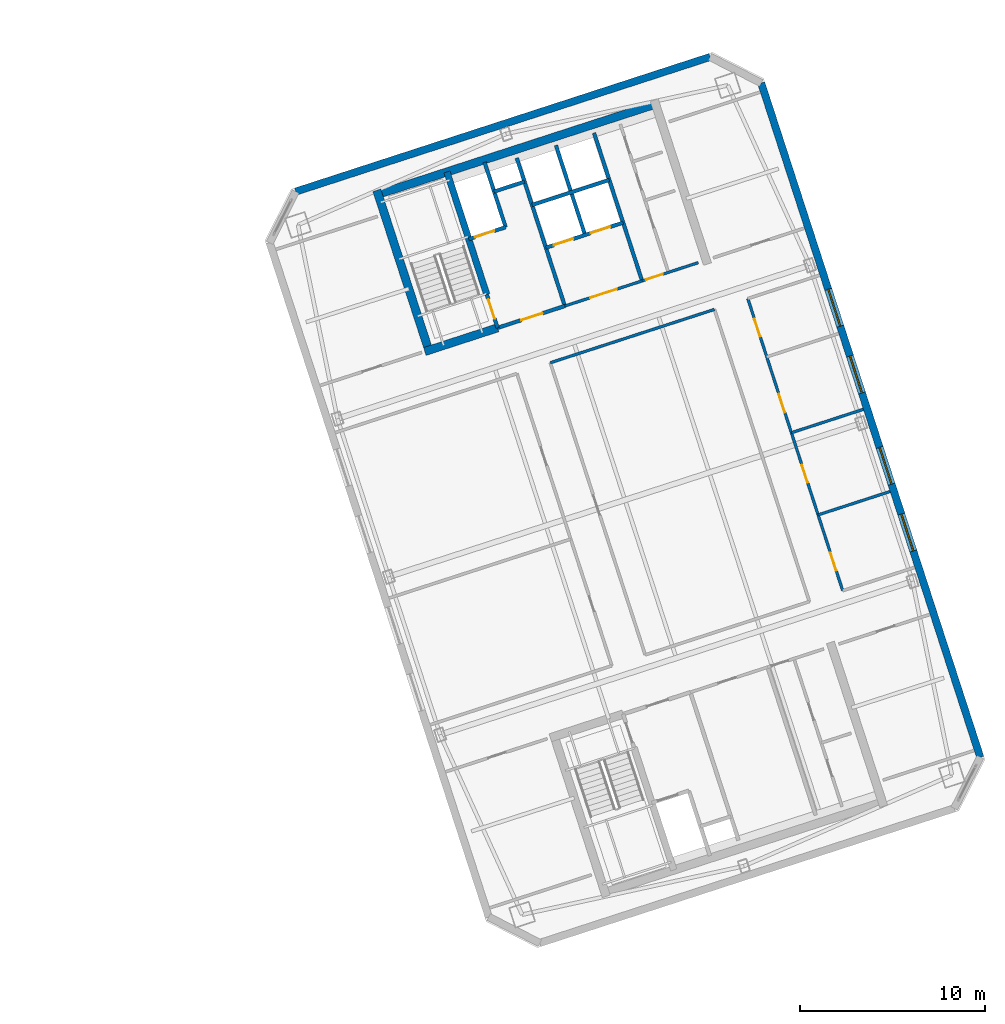
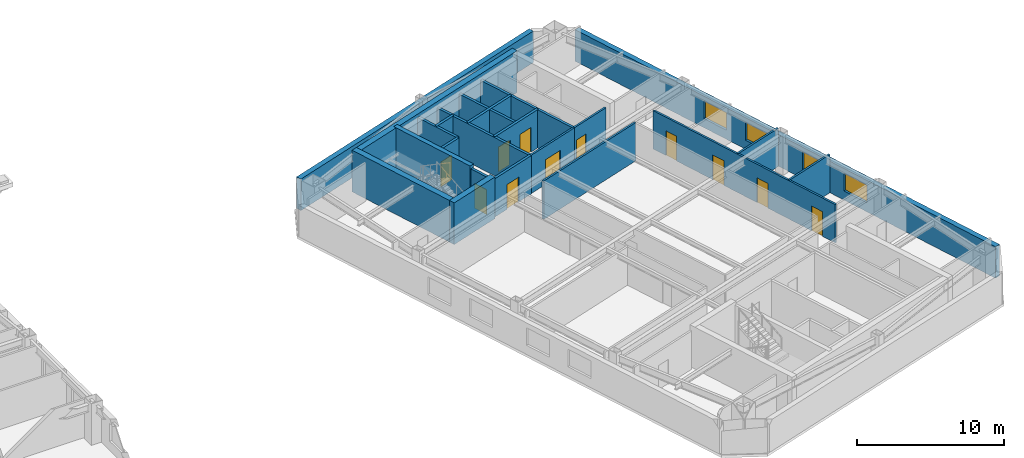
# One storey, part 21 of 25: 22 walls, 11 doors, 4 windows, 15 openings.
"""IFC4 building model written with IfcOpenShell, lengths in metres."""

from ifc_helpers import new_model, si_unit, direction, frame, frame_2d, origin, place, context, subcontext, project, spatial, rectangle, extrude, material, layer, layer_set, type_object, element, fill, save


model = new_model("IFC4")

# Units and contexts
model_context = context("Model", 3, precision=1e-05, world=origin(), true_north=direction((0.0, 1.0)))
body_context = subcontext(model_context, "Body", "Model", "MODEL_VIEW")
ifc_project = project(units=[si_unit("LENGTHUNIT", "METRE"), si_unit("AREAUNIT", "SQUARE_METRE"), si_unit("VOLUMEUNIT", "CUBIC_METRE"), si_unit("PLANEANGLEUNIT", "RADIAN"), si_unit("MASSUNIT", "GRAM", prefix="KILO")], contexts=[model_context])

# Site, building, storey
site_placement = place(None, origin())
site = spatial("IfcSite", under=ifc_project, at=site_placement, CompositionType="ELEMENT")
building_placement = place(site_placement, origin())
building = spatial("IfcBuilding", under=site, at=building_placement, Name="Qiaolan Cultural Towers", CompositionType="ELEMENT")
storey_placement = place(building_placement, frame((0.0, 0.0, 202.39990234375)))
storey = spatial("IfcBuildingStorey", under=building, at=storey_placement, Name="L54", CompositionType="ELEMENT", Elevation=202.39990234375)

# Walls
ifc_material_1 = material(Name="Concrete C50", Category="concrete")
ifc_layer_1 = layer(ifc_material_1, 0.35009765625)
ifc_layer_set_1 = layer_set([ifc_layer_1], Name="Concrete C50")
wall_type_1 = type_object("IfcWallType", Name="WL-CORE-350", PredefinedType="SHEAR", material=ifc_layer_set_1)
wall_1_placement = place(storey_placement, frame((82.513671875, 45.13134765625, 0.0), z_axis=(0.0, 0.0, 1.0), x_axis=(-0.308988790936, 0.951065679686, 0.0)))
element("IfcWall", 1, at=wall_1_placement, inside=storey, type_object=wall_type_1, Name="L54 T2-CN Stair Core Dividing Web", PredefinedType="SHEAR", context=body_context, shape_type="SweptSolid", body=[
    extrude(rectangle(XDim=6.97998046875, YDim=0.35009765625, at=frame_2d((3.489990234375, 0.0))), origin(), (0.0, 0.0, 1.0), 3.4501953125),
])
ifc_material_2 = material(Name="Concrete C50", Category="concrete")
ifc_layer_2 = layer(ifc_material_2, 0.449951171875)
ifc_layer_set_2 = layer_set([ifc_layer_2], Name="Concrete C50")
wall_type_2 = type_object("IfcWallType", Name="WL-CORE-450", PredefinedType="SHEAR", material=ifc_layer_set_2)
wall_2_placement = place(storey_placement, frame((76.414794921875, 50.489013671875, 0.0), z_axis=(0.0, 0.0, 1.0), x_axis=(0.951056810414, 0.309016089169, 0.0)))
element("IfcWall", 2, at=wall_2_placement, inside=storey, type_object=wall_type_2, Name="L54 T2-CN Outer Core Shear Wall", PredefinedType="SHEAR", context=body_context, shape_type="SweptSolid", body=[
    extrude(rectangle(XDim=16.25, YDim=0.449951171875, at=frame_2d((8.125, 0.0))), origin(), (0.0, 0.0, 1.0), 3.4501953125),
])
wall_3_placement = place(storey_placement, frame((79.4423828125, 41.899169921875, 0.0), z_axis=(0.0, 0.0, 1.0), x_axis=(-0.309035778627, 0.951050412717, 0.0)))
element("IfcWall", 3, at=wall_3_placement, inside=storey, type_object=wall_type_2, Name="L54 T2-CN West Core Shear Wall", PredefinedType="SHEAR", context=body_context, shape_type="SweptSolid", body=[
    extrude(rectangle(XDim=9.330078125, YDim=0.449951171875, at=frame_2d((4.6650390625, 0.0))), origin(), (0.0, 0.0, 1.0), 3.4501953125),
])
wall_4_placement = place(storey_placement, frame((79.15869140625, 42.04345703125, 0.0), z_axis=(0.0, 0.0, 1.0), x_axis=(0.951047485828, 0.309044785913, 0.0)))
element("IfcWall", 4, at=wall_4_placement, inside=storey, type_object=wall_type_2, Name="L54 T2-CN Stair Front Shear Wall", PredefinedType="SHEAR", context=body_context, shape_type="SweptSolid", body=[
    extrude(rectangle(XDim=4.14501953125, YDim=0.449951171875, at=frame_2d((2.072509765625, 0.0))), origin(), (0.0, 0.0, 1.0), 3.4501953125),
])
ifc_material_3 = material(Name="Precast Concrete C50 Honed Stone Pier", Category="masonry")
ifc_layer_3 = layer(ifc_material_3, 0.39990234375)
ifc_layer_set_3 = layer_set([ifc_layer_3], Name="Precast Concrete C50 Honed Stone Pier")
wall_type_3 = type_object("IfcWallType", Name="WL-EXT-PIER-400", PredefinedType="SOLIDWALL", material=ifc_layer_set_3)
wall_5_placement = place(storey_placement, frame((72.16455078125, 50.706298828125, 0.0), z_axis=(0.0, 0.0, 1.0), x_axis=(0.951058012937, 0.309012388148, 0.0)))
element("IfcWall", 5, at=wall_5_placement, inside=storey, type_object=wall_type_3, Name="L54 East Tower Precast Pier Facade Wall F3", PredefinedType="SOLIDWALL", context=body_context, shape_type="SweptSolid", body=[
    extrude(rectangle(XDim=23.60009765625, YDim=0.39990234375, at=frame_2d((11.800048828125, 0.0))), origin(), (0.0, 0.0, 1.0), 2.610107421875),
])

# Wall, openings, windows
wall_6_placement = place(storey_placement, frame((97.381591796875, 56.58642578125, 0.0), z_axis=(0.0, 0.0, 1.0), x_axis=(0.309016491071, -0.951056679828, 0.0)))
wall_6 = element("IfcWall", 6, at=wall_6_placement, inside=storey, type_object=wall_type_3, Name="L54 East Tower Precast Pier Facade Wall F5", PredefinedType="SOLIDWALL", context=body_context, shape_type="SweptSolid", body=[
    extrude(rectangle(XDim=38.39990234375, YDim=0.39990234375, at=frame_2d((19.199951171875, 0.0))), origin(), (0.0, 0.0, 1.0), 2.610107421875),
])
opening_1_placement = place(wall_6_placement, frame((24.550048828125, 0.0, 0.75)))
opening_1 = element("IfcOpeningElement", 7, at=opening_1_placement, cuts=wall_6, Name="Opening W-05", PredefinedType="OPENING", context=body_context, shape_type="SweptSolid", body=[
    extrude(rectangle(XDim=2.10009765625, YDim=1.4599609375, at=frame_2d((1.050048828125, 0.72998046875))), frame((0.0, 0.2099609375, 0.0), z_axis=(0.0, -1.0, 0.0), x_axis=(1.0, 0.0, 0.0)), (0.0, 0.0, 1.0), 0.419921875),
])
opening_2_placement = place(wall_6_placement, frame((20.75, 0.0, 0.75)))
opening_2 = element("IfcOpeningElement", 8, at=opening_2_placement, cuts=wall_6, Name="Opening W-05", PredefinedType="OPENING", context=body_context, shape_type="SweptSolid", body=[
    extrude(rectangle(XDim=2.10009765625, YDim=1.4599609375, at=frame_2d((1.050048828125, 0.72998046875))), frame((0.0, 0.2099609375, 0.0), z_axis=(0.0, -1.0, 0.0), x_axis=(1.0, 0.0, 0.0)), (0.0, 0.0, 1.0), 0.419921875),
])
opening_3_placement = place(wall_6_placement, frame((15.550048828125, 0.0, 0.75)))
opening_3 = element("IfcOpeningElement", 9, at=opening_3_placement, cuts=wall_6, Name="Opening W-05", PredefinedType="OPENING", context=body_context, shape_type="SweptSolid", body=[
    extrude(rectangle(XDim=2.10009765625, YDim=1.4599609375, at=frame_2d((1.050048828125, 0.72998046875))), frame((0.0, 0.2099609375, 0.0), z_axis=(0.0, -1.0, 0.0), x_axis=(1.0, 0.0, 0.0)), (0.0, 0.0, 1.0), 0.419921875),
])
opening_4_placement = place(wall_6_placement, frame((11.75, 0.0, 0.75)))
opening_4 = element("IfcOpeningElement", 10, at=opening_4_placement, cuts=wall_6, Name="Opening W-05", PredefinedType="OPENING", context=body_context, shape_type="SweptSolid", body=[
    extrude(rectangle(XDim=2.10009765625, YDim=1.4599609375, at=frame_2d((1.050048828125, 0.72998046875))), frame((0.0, 0.2099609375, 0.0), z_axis=(0.0, -1.0, 0.0), x_axis=(1.0, 0.0, 0.0)), (0.0, 0.0, 1.0), 0.419921875),
])
ifc_material_4 = material(Name="Thermally Broken Aluminium Triple Low-E Glazing", Category="aluminium")
window_type = type_object("IfcWindowType", Name="WN-CHIC-2100", PartitioningType="SINGLE_PANEL", PredefinedType="WINDOW", material=ifc_material_4)
window_1_placement = place(opening_1_placement, origin())
window_1 = element("IfcWindow", 11, at=window_1_placement, inside=storey, type_object=window_type, Name="L54 T2 E Chicago Bay Window 1", OverallHeight=1.4599609375, OverallWidth=2.10009765625, PartitioningType="TRIPLE_PANEL_VERTICAL", PredefinedType="WINDOW", context=body_context, shape_type="SweptSolid", body=[
    extrude(rectangle(XDim=2.10009765625, YDim=1.4599609375, at=frame_2d((1.050048828125, 0.72998046875))), frame((0.0, 0.030029296875, 0.0), z_axis=(0.0, -1.0, 0.0), x_axis=(1.0, 0.0, 0.0)), (0.0, 0.0, 1.0), 0.06005859375),
])
fill(opening_1, window_1)
window_2_placement = place(opening_2_placement, origin())
window_2 = element("IfcWindow", 12, at=window_2_placement, inside=storey, type_object=window_type, Name="L54 T2 E Chicago Bay Window 2", OverallHeight=1.4599609375, OverallWidth=2.10009765625, PartitioningType="TRIPLE_PANEL_VERTICAL", PredefinedType="WINDOW", context=body_context, shape_type="SweptSolid", body=[
    extrude(rectangle(XDim=2.10009765625, YDim=1.4599609375, at=frame_2d((1.050048828125, 0.72998046875))), frame((0.0, 0.030029296875, 0.0), z_axis=(0.0, -1.0, 0.0), x_axis=(1.0, 0.0, 0.0)), (0.0, 0.0, 1.0), 0.06005859375),
])
fill(opening_2, window_2)
window_3_placement = place(opening_3_placement, origin())
window_3 = element("IfcWindow", 13, at=window_3_placement, inside=storey, type_object=window_type, Name="L54 T2 E Chicago Bay Window 3", OverallHeight=1.4599609375, OverallWidth=2.10009765625, PartitioningType="TRIPLE_PANEL_VERTICAL", PredefinedType="WINDOW", context=body_context, shape_type="SweptSolid", body=[
    extrude(rectangle(XDim=2.10009765625, YDim=1.4599609375, at=frame_2d((1.050048828125, 0.72998046875))), frame((0.0, 0.030029296875, 0.0), z_axis=(0.0, -1.0, 0.0), x_axis=(1.0, 0.0, 0.0)), (0.0, 0.0, 1.0), 0.06005859375),
])
fill(opening_3, window_3)
window_4_placement = place(opening_4_placement, origin())
window_4 = element("IfcWindow", 14, at=window_4_placement, inside=storey, type_object=window_type, Name="L54 T2 E Chicago Bay Window 4", OverallHeight=1.4599609375, OverallWidth=2.10009765625, PartitioningType="TRIPLE_PANEL_VERTICAL", PredefinedType="WINDOW", context=body_context, shape_type="SweptSolid", body=[
    extrude(rectangle(XDim=2.10009765625, YDim=1.4599609375, at=frame_2d((1.050048828125, 0.72998046875))), frame((0.0, 0.030029296875, 0.0), z_axis=(0.0, -1.0, 0.0), x_axis=(1.0, 0.0, 0.0)), (0.0, 0.0, 1.0), 0.06005859375),
])
fill(opening_4, window_4)

# Wall, opening, door
ifc_material_5 = material(Name="Concrete C35 Fire Wall", Category="concrete")
ifc_layer_4 = layer(ifc_material_5, 0.199951171875)
ifc_layer_set_4 = layer_set([ifc_layer_4], Name="Concrete C35 Fire Wall")
wall_type_4 = type_object("IfcWallType", Name="WL-FIRE-200", PredefinedType="PARTITIONING", material=ifc_layer_set_4)
wall_7_placement = place(storey_placement, frame((83.100830078125, 43.324462890625, 0.0), z_axis=(0.0, 0.0, 1.0), x_axis=(-0.309048298632, 0.951046344356, 0.0)))
wall_7 = element("IfcWall", 15, at=wall_7_placement, inside=storey, type_object=wall_type_4, Name="L54 T2-CN Smokeproof Stair Entry Wall", PredefinedType="PARTITIONING", context=body_context, shape_type="SweptSolid", body=[
    extrude(rectangle(XDim=1.89990234375, YDim=0.199951171875, at=frame_2d((0.949951171875, 0.0))), origin(), (0.0, 0.0, 1.0), 3.175048828125),
])
opening_5_placement = place(wall_7_placement, frame((0.52001953125, 0.0, 0.0)))
opening_5 = element("IfcOpeningElement", 16, at=opening_5_placement, cuts=wall_7, Name="Opening FD-04", PredefinedType="OPENING", context=body_context, shape_type="SweptSolid", body=[
    extrude(rectangle(XDim=1.10009765625, YDim=2.050048828125, at=frame_2d((0.550048828125, 1.02490234375))), frame((0.0, 0.10986328125, 0.0), z_axis=(0.0, -1.0, 0.0), x_axis=(1.0, 0.0, 0.0)), (0.0, 0.0, 1.0), 0.219970703125),
])
ifc_material_6 = material(Name="Galvanized Steel Command Fire Door", Category="steel")
door_type_1 = type_object("IfcDoorType", Name="DR-FD90-1100", OperationType="NOTDEFINED", PredefinedType="DOOR", material=ifc_material_6)
door_1_placement = place(opening_5_placement, origin())
door_1 = element("IfcDoor", 17, at=door_1_placement, inside=storey, type_object=door_type_1, Name="L54 ST-E2 Smokeproof Stair Fire Door", OperationType="SINGLE_SWING_LEFT", OverallHeight=2.050048828125, OverallWidth=1.10009765625, PredefinedType="DOOR", context=body_context, shape_type="SweptSolid", body=[
    extrude(rectangle(XDim=1.10009765625, YDim=2.050048828125, at=frame_2d((0.550048828125, 1.02490234375))), frame((0.0, 0.02490234375, 0.0), z_axis=(0.0, -1.0, 0.0), x_axis=(1.0, 0.0, 0.0)), (0.0, 0.0, 1.0), 0.050048828125),
])
fill(opening_5, door_1)

# Wall
wall_8_placement = place(storey_placement, frame((86.743408203125, 44.508056640625, 0.0), z_axis=(0.0, 0.0, 1.0), x_axis=(-0.309016001439, 0.951056838919, 0.0)))
element("IfcWall", 18, at=wall_8_placement, inside=storey, type_object=wall_type_4, Name="L54 T2-CN Firefighting Zone Wall", PredefinedType="PARTITIONING", context=body_context, shape_type="SweptSolid", body=[
    extrude(rectangle(XDim=8.429931640625, YDim=0.199951171875, at=frame_2d((4.21484375, 0.0))), origin(), (0.0, 0.0, 1.0), 3.175048828125),
])

# Wall, opening, door
wall_9_placement = place(storey_placement, frame((83.100830078125, 43.324462890625, 0.0), z_axis=(0.0, 0.0, 1.0), x_axis=(0.951052804469, 0.309028417967, 0.0)))
wall_9 = element("IfcWall", 19, at=wall_9_placement, inside=storey, type_object=wall_type_4, Name="L54 T2-CN Firefighting Lobby Front Wall", PredefinedType="PARTITIONING", context=body_context, shape_type="SweptSolid", body=[
    extrude(rectangle(XDim=3.830078125, YDim=0.199951171875, at=frame_2d((1.9150390625, 0.0))), origin(), (0.0, 0.0, 1.0), 3.175048828125),
])
opening_6_placement = place(wall_9_placement, frame((1.35009765625, 0.0, 0.0)))
opening_6 = element("IfcOpeningElement", 20, at=opening_6_placement, cuts=wall_9, Name="Opening FD-03", PredefinedType="OPENING", context=body_context, shape_type="SweptSolid", body=[
    extrude(rectangle(XDim=1.199951171875, YDim=2.050048828125, at=frame_2d((0.60009765625, 1.02490234375))), frame((0.0, 0.10986328125, 0.0), z_axis=(0.0, -1.0, 0.0), x_axis=(1.0, 0.0, 0.0)), (0.0, 0.0, 1.0), 0.219970703125),
])
ifc_material_7 = material(Name="Galvanized Steel Smokeproof Lobby Fire Door", Category="steel")
door_type_2 = type_object("IfcDoorType", Name="DR-FD90-1200", OperationType="NOTDEFINED", PredefinedType="DOOR", material=ifc_material_7)
door_2_placement = place(opening_6_placement, origin())
door_2 = element("IfcDoor", 21, at=door_2_placement, inside=storey, type_object=door_type_2, Name="L54 FFL-E2 Firefighting Lobby Fire Door", OperationType="SINGLE_SWING_LEFT", OverallHeight=2.050048828125, OverallWidth=1.199951171875, PredefinedType="DOOR", context=body_context, shape_type="SweptSolid", body=[
    extrude(rectangle(XDim=1.199951171875, YDim=2.050048828125, at=frame_2d((0.60009765625, 1.02490234375))), frame((0.0, 0.02490234375, 0.0), z_axis=(0.0, -1.0, 0.0), x_axis=(1.0, 0.0, 0.0)), (0.0, 0.0, 1.0), 0.050048828125),
])
fill(opening_6, door_2)

wall_10_placement = place(storey_placement, frame((81.540283203125, 48.127197265625, 0.0), z_axis=(0.0, 0.0, 1.0), x_axis=(0.951062257173, 0.308999325213, 0.0)))
wall_10 = element("IfcWall", 22, at=wall_10_placement, inside=storey, type_object=wall_type_4, Name="L54 T2-CN Firefighting Shaft Front Wall", PredefinedType="PARTITIONING", context=body_context, shape_type="SweptSolid", body=[
    extrude(rectangle(XDim=2.10009765625, YDim=0.199951171875, at=frame_2d((1.050048828125, 0.0))), origin(), (0.0, 0.0, 1.0), 3.175048828125),
])
opening_7_placement = place(wall_10_placement, frame((0.35009765625, 0.0, 0.0)))
opening_7 = element("IfcOpeningElement", 23, at=opening_7_placement, cuts=wall_10, Name="Opening LD-01", PredefinedType="OPENING", context=body_context, shape_type="SweptSolid", body=[
    extrude(rectangle(XDim=1.10009765625, YDim=2.050048828125, at=frame_2d((0.550048828125, 1.02490234375))), frame((0.0, 0.10986328125, 0.0), z_axis=(0.0, -1.0, 0.0), x_axis=(1.0, 0.0, 0.0)), (0.0, 0.0, 1.0), 0.219970703125),
])
ifc_material_8 = material(Name="Brushed Stainless Steel S30408 Centre-Parting Lift Landing Door", Category="steel")
door_type_3 = type_object("IfcDoorType", Name="DR-LIFT-1100", OperationType="NOTDEFINED", PredefinedType="DOOR", material=ifc_material_8)
door_3_placement = place(opening_7_placement, origin())
door_3 = element("IfcDoor", 24, at=door_3_placement, inside=storey, type_object=door_type_3, Name="L54 FFL-E2 Firefighting Lift Landing Door", OperationType="DOUBLE_DOOR_SLIDING", OverallHeight=2.050048828125, OverallWidth=1.10009765625, PredefinedType="DOOR", context=body_context, shape_type="SweptSolid", body=[
    extrude(rectangle(XDim=1.10009765625, YDim=2.050048828125, at=frame_2d((0.550048828125, 1.02490234375))), frame((0.0, 0.02490234375, 0.0), z_axis=(0.0, -1.0, 0.0), x_axis=(1.0, 0.0, 0.0)), (0.0, 0.0, 1.0), 0.050048828125),
])
fill(opening_7, door_3)

# Walls
wall_11_placement = place(storey_placement, frame((83.53759765625, 48.776123046875, 0.0), z_axis=(0.0, 0.0, 1.0), x_axis=(-0.3089935693, 0.951064127245, 0.0)))
element("IfcWall", 25, at=wall_11_placement, inside=storey, type_object=wall_type_4, Name="L54 T2-CN Firefighting Hoistway East Wall", PredefinedType="PARTITIONING", context=body_context, shape_type="SweptSolid", body=[
    extrude(rectangle(XDim=3.7001953125, YDim=0.199951171875, at=frame_2d((1.85009765625, 0.0))), origin(), (0.0, 0.0, 1.0), 3.175048828125),
])
wall_12_placement = place(storey_placement, frame((82.910400390625, 50.706787109375, 0.0), z_axis=(0.0, 0.0, 1.0), x_axis=(0.951041328149, 0.309063734775, 0.0)))
element("IfcWall", 26, at=wall_12_placement, inside=storey, type_object=wall_type_4, Name="L54 T2-CN Pressurization Shaft Front Wall", PredefinedType="PARTITIONING", context=body_context, shape_type="SweptSolid", body=[
    extrude(rectangle(XDim=1.72998046875, YDim=0.199951171875, at=frame_2d((0.864990234375, 0.0))), origin(), (0.0, 0.0, 1.0), 3.175048828125),
])
wall_13_placement = place(storey_placement, frame((90.92822265625, 45.86767578125, 0.0), z_axis=(0.0, 0.0, 1.0), x_axis=(-0.309042196757, 0.951048327176, 0.0)))
element("IfcWall", 27, at=wall_13_placement, inside=storey, type_object=wall_type_4, Name="L54 T2-CN Lift Core East Wall", PredefinedType="PARTITIONING", context=body_context, shape_type="SweptSolid", body=[
    extrude(rectangle(XDim=8.429931640625, YDim=0.199951171875, at=frame_2d((4.21484375, 0.0))), origin(), (0.0, 0.0, 1.0), 3.175048828125),
])

# Wall, openings, doors
wall_14_placement = place(storey_placement, frame((85.717529296875, 47.66552734375, 0.0), z_axis=(0.0, 0.0, 1.0), x_axis=(0.951058531764, 0.30901079133, 0.0)))
wall_14 = element("IfcWall", 28, at=wall_14_placement, inside=storey, type_object=wall_type_4, Name="L54 T2-CN Passenger Lift Shaft Front Wall", PredefinedType="PARTITIONING", context=body_context, shape_type="SweptSolid", body=[
    extrude(rectangle(XDim=4.39990234375, YDim=0.199951171875, at=frame_2d((2.199951171875, 0.0))), origin(), (0.0, 0.0, 1.0), 3.175048828125),
])
opening_8_placement = place(wall_14_placement, frame((0.449951171875, 0.0, 0.0)))
opening_8 = element("IfcOpeningElement", 29, at=opening_8_placement, cuts=wall_14, Name="Opening LD-01", PredefinedType="OPENING", context=body_context, shape_type="SweptSolid", body=[
    extrude(rectangle(XDim=1.10009765625, YDim=2.050048828125, at=frame_2d((0.550048828125, 1.02490234375))), frame((0.0, 0.10986328125, 0.0), z_axis=(0.0, -1.0, 0.0), x_axis=(1.0, 0.0, 0.0)), (0.0, 0.0, 1.0), 0.219970703125),
])
opening_9_placement = place(wall_14_placement, frame((2.550048828125, 0.0, 0.0)))
opening_9 = element("IfcOpeningElement", 30, at=opening_9_placement, cuts=wall_14, Name="Opening LD-01", PredefinedType="OPENING", context=body_context, shape_type="SweptSolid", body=[
    extrude(rectangle(XDim=1.10009765625, YDim=2.050048828125, at=frame_2d((0.550048828125, 1.02490234375))), frame((0.0, 0.10986328125, 0.0), z_axis=(0.0, -1.0, 0.0), x_axis=(1.0, 0.0, 0.0)), (0.0, 0.0, 1.0), 0.219970703125),
])
door_4_placement = place(opening_8_placement, origin())
door_4 = element("IfcDoor", 31, at=door_4_placement, inside=storey, type_object=door_type_3, Name="L54 Passenger Lift 1 Landing Door", OperationType="DOUBLE_DOOR_SLIDING", OverallHeight=2.050048828125, OverallWidth=1.10009765625, PredefinedType="DOOR", context=body_context, shape_type="SweptSolid", body=[
    extrude(rectangle(XDim=1.10009765625, YDim=2.050048828125, at=frame_2d((0.550048828125, 1.02490234375))), frame((0.0, 0.02490234375, 0.0), z_axis=(0.0, -1.0, 0.0), x_axis=(1.0, 0.0, 0.0)), (0.0, 0.0, 1.0), 0.050048828125),
])
fill(opening_8, door_4)
door_5_placement = place(opening_9_placement, origin())
door_5 = element("IfcDoor", 32, at=door_5_placement, inside=storey, type_object=door_type_3, Name="L54 Passenger Lift 2 Landing Door", OperationType="DOUBLE_DOOR_SLIDING", OverallHeight=2.050048828125, OverallWidth=1.10009765625, PredefinedType="DOOR", context=body_context, shape_type="SweptSolid", body=[
    extrude(rectangle(XDim=1.10009765625, YDim=2.050048828125, at=frame_2d((0.550048828125, 1.02490234375))), frame((0.0, 0.02490234375, 0.0), z_axis=(0.0, -1.0, 0.0), x_axis=(1.0, 0.0, 0.0)), (0.0, 0.0, 1.0), 0.050048828125),
])
fill(opening_9, door_5)

# Walls
wall_15_placement = place(storey_placement, frame((87.83837890625, 48.3544921875, 0.0), z_axis=(0.0, 0.0, 1.0), x_axis=(-0.3090093719, 0.951058992953, 0.0)))
element("IfcWall", 33, at=wall_15_placement, inside=storey, type_object=wall_type_4, Name="L54 T2-CN Lift Shaft Divider Wall", PredefinedType="PARTITIONING", context=body_context, shape_type="SweptSolid", body=[
    extrude(rectangle(XDim=5.110107421875, YDim=0.199951171875, at=frame_2d((2.55517578125, 0.0))), origin(), (0.0, 0.0, 1.0), 3.175048828125),
])
wall_16_placement = place(storey_placement, frame((84.966552734375, 49.9765625, 0.0), z_axis=(0.0, 0.0, 1.0), x_axis=(0.951063829732, 0.308994485023, 0.0)))
element("IfcWall", 34, at=wall_16_placement, inside=storey, type_object=wall_type_4, Name="L54 T2-CN Passenger Lift Shaft Back Wall", PredefinedType="PARTITIONING", context=body_context, shape_type="SweptSolid", body=[
    extrude(rectangle(XDim=4.400146484375, YDim=0.199951171875, at=frame_2d((2.2001953125, 0.0))), origin(), (0.0, 0.0, 1.0), 3.175048828125),
])

# Wall, opening, door
ifc_material_9 = material(Name="Autoclaved Aerated Concrete Block B06", Category="concrete")
ifc_layer_5 = layer(ifc_material_9, 0.14990234375)
ifc_layer_set_5 = layer_set([ifc_layer_5], Name="Autoclaved Aerated Concrete Block B06")
wall_type_5 = type_object("IfcWallType", Name="WL-PART-150", PredefinedType="PARTITIONING", material=ifc_layer_set_5)
wall_17_placement = place(storey_placement, frame((86.743408203125, 44.508056640625, 0.0), z_axis=(0.0, 0.0, 1.0), x_axis=(0.951063829732, 0.308994485023, 0.0)))
wall_17 = element("IfcWall", 35, at=wall_17_placement, inside=storey, type_object=wall_type_5, Name="L54 T2-CN Passenger Lift Lobby Front Wall", PredefinedType="PARTITIONING", context=body_context, shape_type="SweptSolid", body=[
    extrude(rectangle(XDim=4.400146484375, YDim=0.14990234375, at=frame_2d((2.2001953125, 0.0))), origin(), (0.0, 0.0, 1.0), 3.175048828125),
])
opening_10_placement = place(wall_17_placement, frame((1.449951171875, 0.0, 0.0)))
opening_10 = element("IfcOpeningElement", 36, at=opening_10_placement, cuts=wall_17, Name="Opening FD-05", PredefinedType="OPENING", context=body_context, shape_type="SweptSolid", body=[
    extrude(rectangle(XDim=1.5, YDim=2.050048828125, at=frame_2d((0.75, 1.02490234375))), frame((0.0, 0.0849609375, 0.0), z_axis=(0.0, -1.0, 0.0), x_axis=(1.0, 0.0, 0.0)), (0.0, 0.0, 1.0), 0.169921875),
])
ifc_material_10 = material(Name="Painted Steel Lift Lobby Fire Door", Category="steel")
door_type_4 = type_object("IfcDoorType", Name="DR-FD60-1500", OperationType="NOTDEFINED", PredefinedType="DOOR", material=ifc_material_10)
door_6_placement = place(opening_10_placement, origin())
door_6 = element("IfcDoor", 37, at=door_6_placement, inside=storey, type_object=door_type_4, Name="L54 Passenger Lift Lobby Entrance", OperationType="SINGLE_SWING_LEFT", OverallHeight=2.050048828125, OverallWidth=1.5, PredefinedType="DOOR", context=body_context, shape_type="SweptSolid", body=[
    extrude(rectangle(XDim=1.5, YDim=2.050048828125, at=frame_2d((0.75, 1.02490234375))), frame((0.0, 0.02490234375, 0.0), z_axis=(0.0, -1.0, 0.0), x_axis=(1.0, 0.0, 0.0)), (0.0, 0.0, 1.0), 0.050048828125),
])
fill(opening_10, door_6)

wall_18_placement = place(storey_placement, frame((90.92822265625, 45.86767578125, 0.0), z_axis=(0.0, 0.0, 1.0), x_axis=(0.951059297078, 0.309008435874, 0.0)))
wall_18 = element("IfcWall", 38, at=wall_18_placement, inside=storey, type_object=wall_type_5, Name="L54 T2-CN Sanitary Core Front Wall", PredefinedType="PARTITIONING", context=body_context, shape_type="SweptSolid", body=[
    extrude(rectangle(XDim=3.19970703125, YDim=0.14990234375, at=frame_2d((1.599853515625, 0.0))), origin(), (0.0, 0.0, 1.0), 3.175048828125),
])
opening_11_placement = place(wall_18_placement, frame((0.219970703125, 0.0, 0.0)))
opening_11 = element("IfcOpeningElement", 39, at=opening_11_placement, cuts=wall_18, Name="Opening ID-05", PredefinedType="OPENING", context=body_context, shape_type="SweptSolid", body=[
    extrude(rectangle(XDim=0.949951171875, YDim=2.050048828125, at=frame_2d((0.47509765625, 1.02490234375))), frame((0.0, 0.0849609375, 0.0), z_axis=(0.0, -1.0, 0.0), x_axis=(1.0, 0.0, 0.0)), (0.0, 0.0, 1.0), 0.169921875),
])
ifc_material_11 = material(Name="Fire-Rated Laminate Accessible Core Door", Category="timber")
door_type_5 = type_object("IfcDoorType", Name="DR-INT-950", OperationType="NOTDEFINED", PredefinedType="DOOR", material=ifc_material_11)
door_7_placement = place(opening_11_placement, origin())
door_7 = element("IfcDoor", 40, at=door_7_placement, inside=storey, type_object=door_type_5, Name="L54 Sanitary Vestibule Door", OperationType="SINGLE_SWING_LEFT", OverallHeight=2.050048828125, OverallWidth=0.949951171875, PredefinedType="DOOR", context=body_context, shape_type="SweptSolid", body=[
    extrude(rectangle(XDim=0.949951171875, YDim=2.050048828125, at=frame_2d((0.47509765625, 1.02490234375))), frame((0.0, 0.02490234375, 0.0), z_axis=(0.0, -1.0, 0.0), x_axis=(1.0, 0.0, 0.0)), (0.0, 0.0, 1.0), 0.050048828125),
])
fill(opening_11, door_7)

# Wall
wall_19_placement = place(storey_placement, frame((85.954833984375, 41.433837890625, 0.0), z_axis=(0.0, 0.0, 1.0), x_axis=(0.951053063704, 0.309027620156, 0.0)))
element("IfcWall", 41, at=wall_19_placement, inside=storey, type_object=wall_type_5, Name="L54 T2 Interior Wall", PredefinedType="PARTITIONING", context=body_context, shape_type="SweptSolid", body=[
    extrude(rectangle(XDim=9.35009765625, YDim=0.14990234375, at=frame_2d((4.675048828125, 0.0))), origin(), (0.0, 0.0, 1.0), 3.175048828125),
])

# Wall, openings, doors
wall_20_placement = place(storey_placement, frame((101.79638671875, 29.084716796875, 0.0), z_axis=(0.0, 0.0, 1.0), x_axis=(-0.309022042254, 0.951054876125, 0.0)))
wall_20 = element("IfcWall", 42, at=wall_20_placement, inside=storey, type_object=wall_type_5, Name="L54 T2 Interior Wall", PredefinedType="PARTITIONING", context=body_context, shape_type="SweptSolid", body=[
    extrude(rectangle(XDim=16.639892578125, YDim=0.14990234375, at=frame_2d((8.31982421875, 0.0))), origin(), (0.0, 0.0, 1.0), 3.175048828125),
])
opening_12_placement = place(wall_20_placement, frame((1.159912109375, 0.0, 0.0)))
opening_12 = element("IfcOpeningElement", 43, at=opening_12_placement, cuts=wall_20, Name="Opening ID-04", PredefinedType="OPENING", context=body_context, shape_type="SweptSolid", body=[
    extrude(rectangle(XDim=1.0, YDim=2.050048828125, at=frame_2d((0.5, 1.02490234375))), frame((0.0, 0.0849609375, 0.0), z_axis=(0.0, -1.0, 0.0), x_axis=(1.0, 0.0, 0.0)), (0.0, 0.0, 1.0), 0.169921875),
])
opening_13_placement = place(wall_20_placement, frame((6.159912109375, 0.0, 0.0)))
opening_13 = element("IfcOpeningElement", 44, at=opening_13_placement, cuts=wall_20, Name="Opening ID-04", PredefinedType="OPENING", context=body_context, shape_type="SweptSolid", body=[
    extrude(rectangle(XDim=1.0, YDim=2.050048828125, at=frame_2d((0.5, 1.02490234375))), frame((0.0, 0.0849609375, 0.0), z_axis=(0.0, -1.0, 0.0), x_axis=(1.0, 0.0, 0.0)), (0.0, 0.0, 1.0), 0.169921875),
])
opening_14_placement = place(wall_20_placement, frame((10.159912109375, 0.0, 0.0)))
opening_14 = element("IfcOpeningElement", 45, at=opening_14_placement, cuts=wall_20, Name="Opening ID-07", PredefinedType="OPENING", context=body_context, shape_type="SweptSolid", body=[
    extrude(rectangle(XDim=1.050048828125, YDim=2.050048828125, at=frame_2d((0.52490234375, 1.02490234375))), frame((0.0, 0.0849609375, 0.0), z_axis=(0.0, -1.0, 0.0), x_axis=(1.0, 0.0, 0.0)), (0.0, 0.0, 1.0), 0.169921875),
])
opening_15_placement = place(wall_20_placement, frame((14.47998046875, 0.0, 0.0)))
opening_15 = element("IfcOpeningElement", 46, at=opening_15_placement, cuts=wall_20, Name="Opening ID-04", PredefinedType="OPENING", context=body_context, shape_type="SweptSolid", body=[
    extrude(rectangle(XDim=1.0, YDim=2.050048828125, at=frame_2d((0.5, 1.02490234375))), frame((0.0, 0.0849609375, 0.0), z_axis=(0.0, -1.0, 0.0), x_axis=(1.0, 0.0, 0.0)), (0.0, 0.0, 1.0), 0.169921875),
])
ifc_material_12 = material(Name="Oak Veneer Acoustic Office Door", Category="timber")
door_type_6 = type_object("IfcDoorType", Name="DR-INT-1000", OperationType="NOTDEFINED", PredefinedType="DOOR", material=ifc_material_12)
door_8_placement = place(opening_12_placement, origin())
door_8 = element("IfcDoor", 47, at=door_8_placement, inside=storey, type_object=door_type_6, Name="L54 T2 Cultural Exchange Shop Door", OperationType="SINGLE_SWING_RIGHT", OverallHeight=2.050048828125, OverallWidth=1.0, PredefinedType="DOOR", context=body_context, shape_type="SweptSolid", body=[
    extrude(rectangle(XDim=1.0, YDim=2.050048828125, at=frame_2d((0.5, 1.02490234375))), frame((0.0, 0.02490234375, 0.0), z_axis=(0.0, -1.0, 0.0), x_axis=(1.0, 0.0, 0.0)), (0.0, 0.0, 1.0), 0.050048828125),
])
fill(opening_12, door_8)
door_9_placement = place(opening_13_placement, origin())
door_9 = element("IfcDoor", 48, at=door_9_placement, inside=storey, type_object=door_type_6, Name="L54 T2 Seminar Room Door", OperationType="SINGLE_SWING_RIGHT", OverallHeight=2.050048828125, OverallWidth=1.0, PredefinedType="DOOR", context=body_context, shape_type="SweptSolid", body=[
    extrude(rectangle(XDim=1.0, YDim=2.050048828125, at=frame_2d((0.5, 1.02490234375))), frame((0.0, 0.02490234375, 0.0), z_axis=(0.0, -1.0, 0.0), x_axis=(1.0, 0.0, 0.0)), (0.0, 0.0, 1.0), 0.050048828125),
])
fill(opening_13, door_9)
door_10_placement = place(opening_15_placement, origin())
door_10 = element("IfcDoor", 49, at=door_10_placement, inside=storey, type_object=door_type_6, Name="L54 T2 Medical Station Door", OperationType="SINGLE_SWING_LEFT", OverallHeight=2.050048828125, OverallWidth=1.0, PredefinedType="DOOR", context=body_context, shape_type="SweptSolid", body=[
    extrude(rectangle(XDim=1.0, YDim=2.050048828125, at=frame_2d((0.5, 1.02490234375))), frame((0.0, 0.02490234375, 0.0), z_axis=(0.0, -1.0, 0.0), x_axis=(1.0, 0.0, 0.0)), (0.0, 0.0, 1.0), 0.050048828125),
])
fill(opening_15, door_10)
ifc_material_13 = material(Name="Oak Veneer Consultation Door", Category="timber")
door_type_7 = type_object("IfcDoorType", Name="DR-INT-1050", OperationType="NOTDEFINED", PredefinedType="DOOR", material=ifc_material_13)
door_11_placement = place(opening_14_placement, origin())
door_11 = element("IfcDoor", 50, at=door_11_placement, inside=storey, type_object=door_type_7, Name="L54 T2 Seminar Room Door", OperationType="SINGLE_SWING_LEFT", OverallHeight=2.050048828125, OverallWidth=1.050048828125, PredefinedType="DOOR", context=body_context, shape_type="SweptSolid", body=[
    extrude(rectangle(XDim=1.050048828125, YDim=2.050048828125, at=frame_2d((0.52490234375, 1.02490234375))), frame((0.0, 0.02490234375, 0.0), z_axis=(0.0, -1.0, 0.0), x_axis=(1.0, 0.0, 0.0)), (0.0, 0.0, 1.0), 0.050048828125),
])
fill(opening_14, door_11)

# Walls
wall_21_placement = place(storey_placement, frame((100.46142578125, 33.193359375, 0.0), z_axis=(0.0, 0.0, 1.0), x_axis=(0.951061634685, 0.309001241148, 0.0)))
element("IfcWall", 51, at=wall_21_placement, inside=storey, type_object=wall_type_5, Name="L54 T2 Interior Wall", PredefinedType="PARTITIONING", context=body_context, shape_type="SweptSolid", body=[
    extrude(rectangle(XDim=4.099853515625, YDim=0.14990234375, at=frame_2d((2.0498046875, 0.0))), origin(), (0.0, 0.0, 1.0), 3.175048828125),
])
wall_22_placement = place(storey_placement, frame((99.01513671875, 37.644287109375, 0.0), z_axis=(0.0, 0.0, 1.0), x_axis=(0.951067320073, 0.308983741789, 0.0)))
element("IfcWall", 52, at=wall_22_placement, inside=storey, type_object=wall_type_5, Name="L54 T2 Interior Wall", PredefinedType="PARTITIONING", context=body_context, shape_type="SweptSolid", body=[
    extrude(rectangle(XDim=4.10009765625, YDim=0.14990234375, at=frame_2d((2.050048828125, 0.0))), origin(), (0.0, 0.0, 1.0), 3.175048828125),
])

save(model, "model.ifc")
